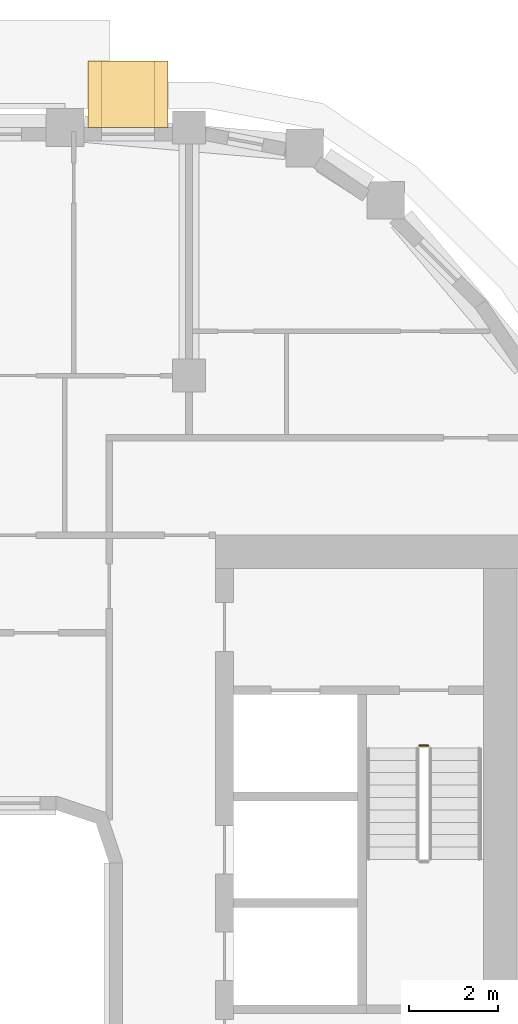
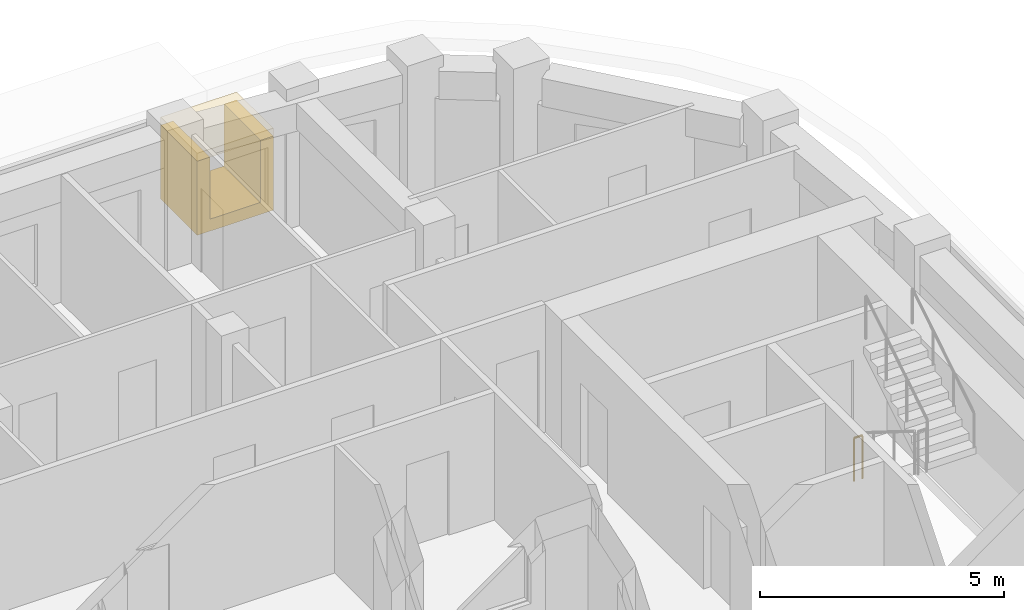
# One storey, part 21 of 21: 2 coverings, 1 railing.
"""IFC4 building model written with IfcOpenShell, lengths in metres."""

from ifc_helpers import new_model, si_unit, direction, frame, origin, origin_2d, place, context, subcontext, project, spatial, polyline, rectangle, circle, outline, extrude, material, layer, layer_set, type_object, element, save


model = new_model("IFC4")

# Units and contexts
model_context = context("Model", 3, precision=1e-05, world=origin(), true_north=direction((0.0, 1.0)))
body_context = subcontext(model_context, "Body", "Model", "MODEL_VIEW")
ifc_project = project(units=[si_unit("LENGTHUNIT", "METRE"), si_unit("AREAUNIT", "SQUARE_METRE"), si_unit("VOLUMEUNIT", "CUBIC_METRE"), si_unit("PLANEANGLEUNIT", "RADIAN"), si_unit("MASSUNIT", "GRAM", prefix="KILO")], contexts=[model_context])

# Site, building, storey
site_placement = place(None, origin())
site = spatial("IfcSite", under=ifc_project, at=site_placement, CompositionType="ELEMENT")
building_placement = place(site_placement, origin())
building = spatial("IfcBuilding", under=site, at=building_placement, Name="Kiln Ring Residences", CompositionType="ELEMENT")
storey_placement = place(building_placement, frame((0.0, 0.0, 220.39990234375)))
storey = spatial("IfcBuildingStorey", under=building, at=storey_placement, Name="L57", CompositionType="ELEMENT", Elevation=220.39990234375)

# Railing
ifc_material_1 = material(Name="Stainless steel", Category="steel")
railing_type = type_object("IfcRailingType", Name="CORE-STAIR-GUARD", PredefinedType="GUARDRAIL", material=ifc_material_1)
railing_placement = place(storey_placement, frame((22.0, 8.449951171875, 0.0)))
element("IfcRailing", 1, at=railing_placement, inside=storey, type_object=railing_type, Name="L57 E-STN stair guard 4", PredefinedType="GUARDRAIL", context=body_context, shape_type="SweptSolid", body=[
    extrude(circle(Radius=0.02392578125, at=origin_2d()), frame((0.0, 0.0, 1.076171875), z_axis=(1.0, 0.0, 0.0), x_axis=(0.0, 1.0, 0.0)), (0.0, 0.0, 1.0), 0.199951171875),
    extrude(circle(Radius=0.02099609375, at=origin_2d()), origin(), (0.0, 0.0, 1.0), 1.052001953125),
    extrude(circle(Radius=0.02099609375, at=origin_2d()), frame((0.199951171875, 0.0, 0.0)), (0.0, 0.0, 1.0), 1.052001953125),
])

# Coverings
ifc_material_2 = material(Name="Brick masonry, dark clay brick", Category="masonry")
ifc_layer_1 = layer(ifc_material_2, 0.300048828125)
ifc_layer_set_1 = layer_set([ifc_layer_1], Name="FRAME CHEEKS AND SILL 1500")
covering_type_1 = type_object("IfcCoveringType", Name="FRAME CHEEKS AND SILL 1500", PredefinedType="CLADDING", material=ifc_layer_set_1)
covering_1_placement = place(storey_placement, frame((16.324951171875, 23.14990234375, 0.300048828125), z_axis=(0.0, 0.0, 1.0), x_axis=(-1.0, 0.0, 0.0)))
element("IfcCovering", 2, at=covering_1_placement, inside=storey, type_object=covering_type_1, Name="FRAME L57", PredefinedType="CLADDING", context=body_context, shape_type="SweptSolid", body=[
    extrude(outline(polyline([(0.0, 0.0), (1.800048828125, 0.0), (1.800048828125, 1.85009765625), (1.5009765625, 1.85009765625), (1.5, 0.300048828125), (0.300048828125, 0.300048828125), (0.299072265625, 1.85009765625), (0.0, 1.85009765625), (0.0, 0.0)])), frame((0.0, 0.75, 0.0), z_axis=(0.0, -1.0, 0.0), x_axis=(1.0, 0.0, 0.0)), (0.0, 0.0, 1.0), 1.5),
])
ifc_material_3 = material(Name="Brick masonry, dark clay brick", Category="masonry")
ifc_layer_2 = layer(ifc_material_3, 0.199951171875)
ifc_layer_set_2 = layer_set([ifc_layer_2], Name="FRAME HEAD 1500")
covering_type_2 = type_object("IfcCoveringType", Name="FRAME HEAD 1500", PredefinedType="CLADDING", material=ifc_layer_set_2)
covering_2_placement = place(storey_placement, frame((15.425048828125, 23.14990234375, 2.14990234375), z_axis=(0.0, 0.0, 1.0), x_axis=(-1.0, 0.0, 0.0)))
element("IfcCovering", 3, at=covering_2_placement, inside=storey, type_object=covering_type_2, Name="FRAME HEAD L57", PredefinedType="CLADDING", context=body_context, shape_type="SweptSolid", body=[
    extrude(rectangle(XDim=1.800048828125, YDim=1.5, at=origin_2d()), origin(), (0.0, 0.0, 1.0), 0.199951171875),
])

save(model, "model.ifc")
